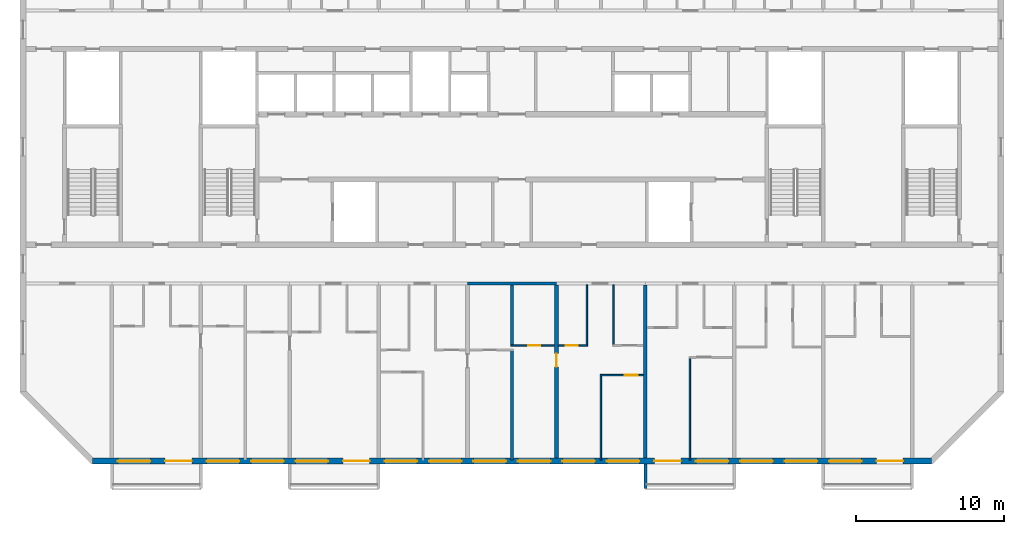
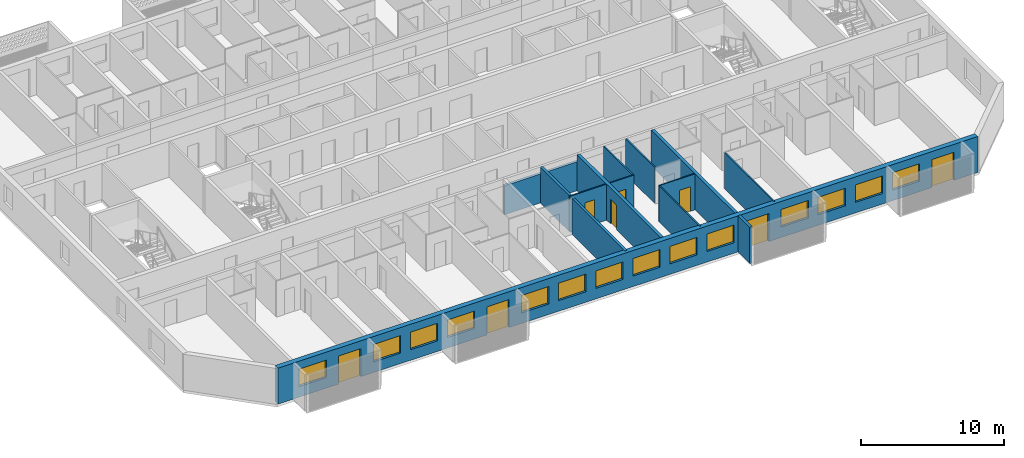
# One storey, part 4 of 26: 14 walls, 14 windows, 8 doors, 22 openings.
"""IFC4 building model written with IfcOpenShell, lengths in metres."""

from ifc_helpers import new_model, si_unit, direction, frame, frame_2d, origin, place, context, subcontext, project, spatial, polyline, rectangle, outline, extrude, source, transform, mapped, material, layer, layer_set, type_object, element, fill, save


model = new_model("IFC4")

# Units and contexts
model_context = context("Model", 3, precision=1e-05, world=origin(), true_north=direction((0.0, 1.0)))
body_context = subcontext(model_context, "Body", "Model", "MODEL_VIEW")
ifc_project = project(units=[si_unit("LENGTHUNIT", "METRE"), si_unit("AREAUNIT", "SQUARE_METRE"), si_unit("VOLUMEUNIT", "CUBIC_METRE"), si_unit("PLANEANGLEUNIT", "RADIAN"), si_unit("MASSUNIT", "GRAM", prefix="KILO")], contexts=[model_context])

# Site, building, storey
site_placement = place(None, origin())
site = spatial("IfcSite", under=ifc_project, at=site_placement, CompositionType="ELEMENT")
building_placement = place(site_placement, origin())
building = spatial("IfcBuilding", under=site, at=building_placement, Name="Poui Terraces", CompositionType="ELEMENT")
storey_placement = place(building_placement, frame((0.0, 0.0, 247.800048828125)))
storey = spatial("IfcBuildingStorey", under=building, at=storey_placement, Name="L69", CompositionType="ELEMENT", Elevation=247.800048828125)

# Wall
ifc_material_1 = material(Name="Concrete 50 MPa", Category="concrete")
ifc_layer_1 = layer(ifc_material_1, 0.199951171875)
ifc_layer_set_1 = layer_set([ifc_layer_1], Name="Concrete 50 MPa")
wall_type_1 = type_object("IfcWallType", Name="CORRIDOR WALL 200 50MPa", PredefinedType="SHEAR", material=ifc_layer_set_1)
wall_1_placement = place(storey_placement, frame((48.0, 12.0, 0.0), z_axis=(0.0, 0.0, 1.0), x_axis=(1.0, 0.0, 0.0)))
element("IfcWall", 1, at=wall_1_placement, inside=storey, type_object=wall_type_1, Name="CORRIDOR WALL LINE B BAY 6", PredefinedType="SHEAR", context=body_context, shape_type="SweptSolid", body=[
    extrude(rectangle(XDim=6.0, YDim=0.199951171875, at=frame_2d((3.0, 0.0))), origin(), (0.0, 0.0, 1.0), 2.47998046875),
])

# Wall, opening, door
ifc_layer_2 = layer(ifc_material_1, 0.25)
ifc_layer_set_2 = layer_set([ifc_layer_2], Name="Concrete 50 MPa")
wall_type_2 = type_object("IfcWallType", Name="CROSS WALL 250 50MPa", PredefinedType="SHEAR", material=ifc_layer_set_2)
wall_2_placement = place(storey_placement, frame((54.0, 0.199951171875, 0.0), z_axis=(0.0, 0.0, 1.0), x_axis=(0.0, 1.0, 0.0)))
wall_2 = element("IfcWall", 2, at=wall_2_placement, inside=storey, type_object=wall_type_2, Name="CROSS WALL LINE 10 SOUTH", PredefinedType="SHEAR", context=body_context, shape_type="SweptSolid", body=[
    extrude(rectangle(XDim=11.699951171875, YDim=0.25, at=frame_2d((5.85009765625, 0.0))), origin(), (0.0, 0.0, 1.0), 3.079833984375),
])
opening_1_placement = place(wall_2_placement, frame((6.14990234375, 0.0, 0.0)))
opening_1 = element("IfcOpeningElement", 3, at=opening_1_placement, cuts=wall_2, Name="Opening D90", PredefinedType="OPENING", context=body_context, shape_type="SweptSolid", body=[
    extrude(rectangle(XDim=0.89990234375, YDim=2.10009765625, at=frame_2d((0.449951171875, 1.050048828125))), frame((0.0, 0.135009765625, 0.0), z_axis=(0.0, -1.0, 0.0), x_axis=(1.0, 0.0, 0.0)), (0.0, 0.0, 1.0), 0.27001953125),
])
ifc_material_2 = material(Name="Solid core timber door", Category="wood")
door_type_1 = type_object("IfcDoorType", Name="INTERNAL DOOR 900 X 2100", OperationType="NOTDEFINED", PredefinedType="DOOR", material=ifc_material_2)
door_1_placement = place(opening_1_placement, origin())
door_1 = element("IfcDoor", 4, at=door_1_placement, inside=storey, type_object=door_type_1, Name="INTERNAL DOOR 079", OperationType="SINGLE_SWING_RIGHT", OverallHeight=2.10009765625, OverallWidth=0.89990234375, PredefinedType="DOOR", context=body_context, shape_type="SweptSolid", body=[
    extrude(rectangle(XDim=0.89990234375, YDim=2.10009765625, at=frame_2d((0.449951171875, 1.050048828125))), frame((0.0, 0.02490234375, 0.0), z_axis=(0.0, -1.0, 0.0), x_axis=(1.0, 0.0, 0.0)), (0.0, 0.0, 1.0), 0.050048828125),
])
fill(opening_1, door_1)

# Wall
wall_3_placement = place(storey_placement, frame((60.0, 0.199951171875, 0.0), z_axis=(0.0, 0.0, 1.0), x_axis=(0.0, 1.0, 0.0)))
element("IfcWall", 5, at=wall_3_placement, inside=storey, type_object=wall_type_2, Name="CROSS WALL LINE 11 SOUTH", PredefinedType="SHEAR", context=body_context, shape_type="SweptSolid", body=[
    extrude(rectangle(XDim=11.699951171875, YDim=0.25, at=frame_2d((5.85009765625, 0.0))), origin(), (0.0, 0.0, 1.0), 3.079833984375),
])

# Wall, openings, doors, windows
ifc_material_3 = material(Name="Precast concrete 40 MPa", Category="concrete")
ifc_layer_3 = layer(ifc_material_3, 0.39990234375)
ifc_layer_set_3 = layer_set([ifc_layer_3], Name="Precast concrete 40 MPa")
wall_type_3 = type_object("IfcWallType", Name="EXTERNAL WALL 400", PredefinedType="STANDARD", material=ifc_layer_set_3)
wall_4_placement = place(storey_placement, frame((22.682861328125, 0.0, 0.0), z_axis=(0.0, 0.0, 1.0), x_axis=(1.0, 0.0, 0.0)))
wall_4 = element("IfcWall", 6, at=wall_4_placement, inside=storey, type_object=wall_type_3, Name="EXTERNAL WALL S", PredefinedType="STANDARD", context=body_context, shape_type="SweptSolid", body=[
    extrude(rectangle(XDim=56.63427734375, YDim=0.39990234375, at=frame_2d((28.317138671875, 0.0))), origin(), (0.0, 0.0, 1.0), 3.079833984375),
])
opening_2_placement = place(wall_4_placement, frame((1.71728515625, 0.0, 0.89990234375)))
opening_2 = element("IfcOpeningElement", 7, at=opening_2_placement, cuts=wall_4, Name="Opening W1", PredefinedType="OPENING", context=body_context, shape_type="SweptSolid", body=[
    extrude(rectangle(XDim=2.199951171875, YDim=1.5, at=frame_2d((1.10009765625, 0.75))), frame((0.0, 0.2099609375, 0.0), z_axis=(0.0, -1.0, 0.0), x_axis=(1.0, 0.0, 0.0)), (0.0, 0.0, 1.0), 0.419921875),
])
opening_3_placement = place(wall_4_placement, frame((4.917236328125, 0.0, 0.0)))
opening_3 = element("IfcOpeningElement", 8, at=opening_3_placement, cuts=wall_4, Name="Opening BD1", PredefinedType="OPENING", context=body_context, shape_type="SweptSolid", body=[
    extrude(rectangle(XDim=1.800048828125, YDim=2.39990234375, at=frame_2d((0.89990234375, 1.199951171875))), frame((0.0, 0.2099609375, 0.0), z_axis=(0.0, -1.0, 0.0), x_axis=(1.0, 0.0, 0.0)), (0.0, 0.0, 1.0), 0.419921875),
])
opening_4_placement = place(wall_4_placement, frame((7.71728515625, 0.0, 0.89990234375)))
opening_4 = element("IfcOpeningElement", 9, at=opening_4_placement, cuts=wall_4, Name="Opening W1", PredefinedType="OPENING", context=body_context, shape_type="SweptSolid", body=[
    extrude(rectangle(XDim=2.199951171875, YDim=1.5, at=frame_2d((1.10009765625, 0.75))), frame((0.0, 0.2099609375, 0.0), z_axis=(0.0, -1.0, 0.0), x_axis=(1.0, 0.0, 0.0)), (0.0, 0.0, 1.0), 0.419921875),
])
opening_5_placement = place(wall_4_placement, frame((10.71728515625, 0.0, 0.89990234375)))
opening_5 = element("IfcOpeningElement", 10, at=opening_5_placement, cuts=wall_4, Name="Opening W1", PredefinedType="OPENING", context=body_context, shape_type="SweptSolid", body=[
    extrude(rectangle(XDim=2.199951171875, YDim=1.5, at=frame_2d((1.10009765625, 0.75))), frame((0.0, 0.2099609375, 0.0), z_axis=(0.0, -1.0, 0.0), x_axis=(1.0, 0.0, 0.0)), (0.0, 0.0, 1.0), 0.419921875),
])
opening_6_placement = place(wall_4_placement, frame((13.71728515625, 0.0, 0.89990234375)))
opening_6 = element("IfcOpeningElement", 11, at=opening_6_placement, cuts=wall_4, Name="Opening W1", PredefinedType="OPENING", context=body_context, shape_type="SweptSolid", body=[
    extrude(rectangle(XDim=2.199951171875, YDim=1.5, at=frame_2d((1.10009765625, 0.75))), frame((0.0, 0.2099609375, 0.0), z_axis=(0.0, -1.0, 0.0), x_axis=(1.0, 0.0, 0.0)), (0.0, 0.0, 1.0), 0.419921875),
])
opening_7_placement = place(wall_4_placement, frame((16.917236328125, 0.0, 0.0)))
opening_7 = element("IfcOpeningElement", 12, at=opening_7_placement, cuts=wall_4, Name="Opening BD1", PredefinedType="OPENING", context=body_context, shape_type="SweptSolid", body=[
    extrude(rectangle(XDim=1.800048828125, YDim=2.39990234375, at=frame_2d((0.89990234375, 1.199951171875))), frame((0.0, 0.2099609375, 0.0), z_axis=(0.0, -1.0, 0.0), x_axis=(1.0, 0.0, 0.0)), (0.0, 0.0, 1.0), 0.419921875),
])
opening_8_placement = place(wall_4_placement, frame((19.71728515625, 0.0, 0.89990234375)))
opening_8 = element("IfcOpeningElement", 13, at=opening_8_placement, cuts=wall_4, Name="Opening W1", PredefinedType="OPENING", context=body_context, shape_type="SweptSolid", body=[
    extrude(rectangle(XDim=2.199951171875, YDim=1.5, at=frame_2d((1.10009765625, 0.75))), frame((0.0, 0.2099609375, 0.0), z_axis=(0.0, -1.0, 0.0), x_axis=(1.0, 0.0, 0.0)), (0.0, 0.0, 1.0), 0.419921875),
])
opening_9_placement = place(wall_4_placement, frame((22.71728515625, 0.0, 0.89990234375)))
opening_9 = element("IfcOpeningElement", 14, at=opening_9_placement, cuts=wall_4, Name="Opening W1", PredefinedType="OPENING", context=body_context, shape_type="SweptSolid", body=[
    extrude(rectangle(XDim=2.199951171875, YDim=1.5, at=frame_2d((1.10009765625, 0.75))), frame((0.0, 0.2099609375, 0.0), z_axis=(0.0, -1.0, 0.0), x_axis=(1.0, 0.0, 0.0)), (0.0, 0.0, 1.0), 0.419921875),
])
opening_10_placement = place(wall_4_placement, frame((25.71728515625, 0.0, 0.89990234375)))
opening_10 = element("IfcOpeningElement", 15, at=opening_10_placement, cuts=wall_4, Name="Opening W1", PredefinedType="OPENING", context=body_context, shape_type="SweptSolid", body=[
    extrude(rectangle(XDim=2.199951171875, YDim=1.5, at=frame_2d((1.10009765625, 0.75))), frame((0.0, 0.2099609375, 0.0), z_axis=(0.0, -1.0, 0.0), x_axis=(1.0, 0.0, 0.0)), (0.0, 0.0, 1.0), 0.419921875),
])
opening_11_placement = place(wall_4_placement, frame((28.71728515625, 0.0, 0.89990234375)))
opening_11 = element("IfcOpeningElement", 16, at=opening_11_placement, cuts=wall_4, Name="Opening W1", PredefinedType="OPENING", context=body_context, shape_type="SweptSolid", body=[
    extrude(rectangle(XDim=2.199951171875, YDim=1.5, at=frame_2d((1.10009765625, 0.75))), frame((0.0, 0.2099609375, 0.0), z_axis=(0.0, -1.0, 0.0), x_axis=(1.0, 0.0, 0.0)), (0.0, 0.0, 1.0), 0.419921875),
])
opening_12_placement = place(wall_4_placement, frame((31.71728515625, 0.0, 0.89990234375)))
opening_12 = element("IfcOpeningElement", 17, at=opening_12_placement, cuts=wall_4, Name="Opening W1", PredefinedType="OPENING", context=body_context, shape_type="SweptSolid", body=[
    extrude(rectangle(XDim=2.199951171875, YDim=1.5, at=frame_2d((1.10009765625, 0.75))), frame((0.0, 0.2099609375, 0.0), z_axis=(0.0, -1.0, 0.0), x_axis=(1.0, 0.0, 0.0)), (0.0, 0.0, 1.0), 0.419921875),
])
opening_13_placement = place(wall_4_placement, frame((34.71728515625, 0.0, 0.89990234375)))
opening_13 = element("IfcOpeningElement", 18, at=opening_13_placement, cuts=wall_4, Name="Opening W1", PredefinedType="OPENING", context=body_context, shape_type="SweptSolid", body=[
    extrude(rectangle(XDim=2.199951171875, YDim=1.5, at=frame_2d((1.10009765625, 0.75))), frame((0.0, 0.2099609375, 0.0), z_axis=(0.0, -1.0, 0.0), x_axis=(1.0, 0.0, 0.0)), (0.0, 0.0, 1.0), 0.419921875),
])
opening_14_placement = place(wall_4_placement, frame((37.917236328125, 0.0, 0.0)))
opening_14 = element("IfcOpeningElement", 19, at=opening_14_placement, cuts=wall_4, Name="Opening BD1", PredefinedType="OPENING", context=body_context, shape_type="SweptSolid", body=[
    extrude(rectangle(XDim=1.800048828125, YDim=2.39990234375, at=frame_2d((0.89990234375, 1.199951171875))), frame((0.0, 0.2099609375, 0.0), z_axis=(0.0, -1.0, 0.0), x_axis=(1.0, 0.0, 0.0)), (0.0, 0.0, 1.0), 0.419921875),
])
opening_15_placement = place(wall_4_placement, frame((40.71728515625, 0.0, 0.89990234375)))
opening_15 = element("IfcOpeningElement", 20, at=opening_15_placement, cuts=wall_4, Name="Opening W1", PredefinedType="OPENING", context=body_context, shape_type="SweptSolid", body=[
    extrude(rectangle(XDim=2.199951171875, YDim=1.5, at=frame_2d((1.10009765625, 0.75))), frame((0.0, 0.2099609375, 0.0), z_axis=(0.0, -1.0, 0.0), x_axis=(1.0, 0.0, 0.0)), (0.0, 0.0, 1.0), 0.419921875),
])
opening_16_placement = place(wall_4_placement, frame((43.71728515625, 0.0, 0.89990234375)))
opening_16 = element("IfcOpeningElement", 21, at=opening_16_placement, cuts=wall_4, Name="Opening W1", PredefinedType="OPENING", context=body_context, shape_type="SweptSolid", body=[
    extrude(rectangle(XDim=2.199951171875, YDim=1.5, at=frame_2d((1.10009765625, 0.75))), frame((0.0, 0.2099609375, 0.0), z_axis=(0.0, -1.0, 0.0), x_axis=(1.0, 0.0, 0.0)), (0.0, 0.0, 1.0), 0.419921875),
])
opening_17_placement = place(wall_4_placement, frame((46.71728515625, 0.0, 0.89990234375)))
opening_17 = element("IfcOpeningElement", 22, at=opening_17_placement, cuts=wall_4, Name="Opening W1", PredefinedType="OPENING", context=body_context, shape_type="SweptSolid", body=[
    extrude(rectangle(XDim=2.199951171875, YDim=1.5, at=frame_2d((1.10009765625, 0.75))), frame((0.0, 0.2099609375, 0.0), z_axis=(0.0, -1.0, 0.0), x_axis=(1.0, 0.0, 0.0)), (0.0, 0.0, 1.0), 0.419921875),
])
opening_18_placement = place(wall_4_placement, frame((49.71728515625, 0.0, 0.89990234375)))
opening_18 = element("IfcOpeningElement", 23, at=opening_18_placement, cuts=wall_4, Name="Opening W1", PredefinedType="OPENING", context=body_context, shape_type="SweptSolid", body=[
    extrude(rectangle(XDim=2.199951171875, YDim=1.5, at=frame_2d((1.10009765625, 0.75))), frame((0.0, 0.2099609375, 0.0), z_axis=(0.0, -1.0, 0.0), x_axis=(1.0, 0.0, 0.0)), (0.0, 0.0, 1.0), 0.419921875),
])
opening_19_placement = place(wall_4_placement, frame((52.917236328125, 0.0, 0.0)))
opening_19 = element("IfcOpeningElement", 24, at=opening_19_placement, cuts=wall_4, Name="Opening BD1", PredefinedType="OPENING", context=body_context, shape_type="SweptSolid", body=[
    extrude(rectangle(XDim=1.800048828125, YDim=2.39990234375, at=frame_2d((0.89990234375, 1.199951171875))), frame((0.0, 0.2099609375, 0.0), z_axis=(0.0, -1.0, 0.0), x_axis=(1.0, 0.0, 0.0)), (0.0, 0.0, 1.0), 0.419921875),
])
ifc_material_4 = material(Name="Clear glass in aluminium frame", Category="aluminium")
door_type_2 = type_object("IfcDoorType", Name="BALCONY DOOR 1800X2400", OperationType="DOUBLE_DOOR_SLIDING", PredefinedType="DOOR", material=ifc_material_4)
door_2_placement = place(opening_3_placement, origin())
door_2 = element("IfcDoor", 25, at=door_2_placement, inside=storey, type_object=door_type_2, Name="BD1 BALCONY DOOR", OperationType="DOUBLE_DOOR_SLIDING", OverallHeight=2.39990234375, OverallWidth=1.800048828125, PredefinedType="DOOR", context=body_context, shape_type="SweptSolid", body=[
    extrude(rectangle(XDim=1.800048828125, YDim=2.39990234375, at=frame_2d((0.89990234375, 1.199951171875))), frame((0.0, 0.02490234375, 0.0), z_axis=(0.0, -1.0, 0.0), x_axis=(1.0, 0.0, 0.0)), (0.0, 0.0, 1.0), 0.050048828125),
])
fill(opening_3, door_2)
door_3_placement = place(opening_7_placement, origin())
door_3 = element("IfcDoor", 26, at=door_3_placement, inside=storey, type_object=door_type_2, Name="BD1 BALCONY DOOR", OperationType="DOUBLE_DOOR_SLIDING", OverallHeight=2.39990234375, OverallWidth=1.800048828125, PredefinedType="DOOR", context=body_context, shape_type="SweptSolid", body=[
    extrude(rectangle(XDim=1.800048828125, YDim=2.39990234375, at=frame_2d((0.89990234375, 1.199951171875))), frame((0.0, 0.02490234375, 0.0), z_axis=(0.0, -1.0, 0.0), x_axis=(1.0, 0.0, 0.0)), (0.0, 0.0, 1.0), 0.050048828125),
])
fill(opening_7, door_3)
door_4_placement = place(opening_14_placement, origin())
door_4 = element("IfcDoor", 27, at=door_4_placement, inside=storey, type_object=door_type_2, Name="BD1 BALCONY DOOR", OperationType="DOUBLE_DOOR_SLIDING", OverallHeight=2.39990234375, OverallWidth=1.800048828125, PredefinedType="DOOR", context=body_context, shape_type="SweptSolid", body=[
    extrude(rectangle(XDim=1.800048828125, YDim=2.39990234375, at=frame_2d((0.89990234375, 1.199951171875))), frame((0.0, 0.02490234375, 0.0), z_axis=(0.0, -1.0, 0.0), x_axis=(1.0, 0.0, 0.0)), (0.0, 0.0, 1.0), 0.050048828125),
])
fill(opening_14, door_4)
door_5_placement = place(opening_19_placement, origin())
door_5 = element("IfcDoor", 28, at=door_5_placement, inside=storey, type_object=door_type_2, Name="BD1 BALCONY DOOR", OperationType="DOUBLE_DOOR_SLIDING", OverallHeight=2.39990234375, OverallWidth=1.800048828125, PredefinedType="DOOR", context=body_context, shape_type="SweptSolid", body=[
    extrude(rectangle(XDim=1.800048828125, YDim=2.39990234375, at=frame_2d((0.89990234375, 1.199951171875))), frame((0.0, 0.02490234375, 0.0), z_axis=(0.0, -1.0, 0.0), x_axis=(1.0, 0.0, 0.0)), (0.0, 0.0, 1.0), 0.050048828125),
])
fill(opening_19, door_5)
window_type = type_object("IfcWindowType", Name="WINDOW 2200X1500", PartitioningType="DOUBLE_PANEL_HORIZONTAL", PredefinedType="WINDOW", material=ifc_material_4)
window_1_placement = place(opening_2_placement, origin())
window_1 = element("IfcWindow", 29, at=window_1_placement, inside=storey, type_object=window_type, Name="W1 WINDOW", OverallHeight=1.5, OverallWidth=2.199951171875, PartitioningType="DOUBLE_PANEL_HORIZONTAL", PredefinedType="WINDOW", context=body_context, shape_type="SweptSolid", body=[
    extrude(rectangle(XDim=2.199951171875, YDim=1.5, at=frame_2d((1.10009765625, 0.75))), frame((0.0, 0.030029296875, 0.0), z_axis=(0.0, -1.0, 0.0), x_axis=(1.0, 0.0, 0.0)), (0.0, 0.0, 1.0), 0.06005859375),
])
fill(opening_2, window_1)
window_2_placement = place(opening_4_placement, origin())
window_2 = element("IfcWindow", 30, at=window_2_placement, inside=storey, type_object=window_type, Name="W1 WINDOW", OverallHeight=1.5, OverallWidth=2.199951171875, PartitioningType="DOUBLE_PANEL_HORIZONTAL", PredefinedType="WINDOW", context=body_context, shape_type="SweptSolid", body=[
    extrude(rectangle(XDim=2.199951171875, YDim=1.5, at=frame_2d((1.10009765625, 0.75))), frame((0.0, 0.030029296875, 0.0), z_axis=(0.0, -1.0, 0.0), x_axis=(1.0, 0.0, 0.0)), (0.0, 0.0, 1.0), 0.06005859375),
])
fill(opening_4, window_2)
window_3_placement = place(opening_5_placement, origin())
window_3 = element("IfcWindow", 31, at=window_3_placement, inside=storey, type_object=window_type, Name="W1 WINDOW", OverallHeight=1.5, OverallWidth=2.199951171875, PartitioningType="DOUBLE_PANEL_HORIZONTAL", PredefinedType="WINDOW", context=body_context, shape_type="SweptSolid", body=[
    extrude(rectangle(XDim=2.199951171875, YDim=1.5, at=frame_2d((1.10009765625, 0.75))), frame((0.0, 0.030029296875, 0.0), z_axis=(0.0, -1.0, 0.0), x_axis=(1.0, 0.0, 0.0)), (0.0, 0.0, 1.0), 0.06005859375),
])
fill(opening_5, window_3)
window_4_placement = place(opening_6_placement, origin())
window_4 = element("IfcWindow", 32, at=window_4_placement, inside=storey, type_object=window_type, Name="W1 WINDOW", OverallHeight=1.5, OverallWidth=2.199951171875, PartitioningType="DOUBLE_PANEL_HORIZONTAL", PredefinedType="WINDOW", context=body_context, shape_type="SweptSolid", body=[
    extrude(rectangle(XDim=2.199951171875, YDim=1.5, at=frame_2d((1.10009765625, 0.75))), frame((0.0, 0.030029296875, 0.0), z_axis=(0.0, -1.0, 0.0), x_axis=(1.0, 0.0, 0.0)), (0.0, 0.0, 1.0), 0.06005859375),
])
fill(opening_6, window_4)
window_5_placement = place(opening_8_placement, origin())
window_5 = element("IfcWindow", 33, at=window_5_placement, inside=storey, type_object=window_type, Name="W1 WINDOW", OverallHeight=1.5, OverallWidth=2.199951171875, PartitioningType="DOUBLE_PANEL_HORIZONTAL", PredefinedType="WINDOW", context=body_context, shape_type="SweptSolid", body=[
    extrude(rectangle(XDim=2.199951171875, YDim=1.5, at=frame_2d((1.10009765625, 0.75))), frame((0.0, 0.030029296875, 0.0), z_axis=(0.0, -1.0, 0.0), x_axis=(1.0, 0.0, 0.0)), (0.0, 0.0, 1.0), 0.06005859375),
])
fill(opening_8, window_5)
window_6_placement = place(opening_9_placement, origin())
window_6 = element("IfcWindow", 34, at=window_6_placement, inside=storey, type_object=window_type, Name="W1 WINDOW", OverallHeight=1.5, OverallWidth=2.199951171875, PartitioningType="DOUBLE_PANEL_HORIZONTAL", PredefinedType="WINDOW", context=body_context, shape_type="SweptSolid", body=[
    extrude(rectangle(XDim=2.199951171875, YDim=1.5, at=frame_2d((1.10009765625, 0.75))), frame((0.0, 0.030029296875, 0.0), z_axis=(0.0, -1.0, 0.0), x_axis=(1.0, 0.0, 0.0)), (0.0, 0.0, 1.0), 0.06005859375),
])
fill(opening_9, window_6)
window_7_placement = place(opening_10_placement, origin())
window_7 = element("IfcWindow", 35, at=window_7_placement, inside=storey, type_object=window_type, Name="W1 WINDOW", OverallHeight=1.5, OverallWidth=2.199951171875, PartitioningType="DOUBLE_PANEL_HORIZONTAL", PredefinedType="WINDOW", context=body_context, shape_type="SweptSolid", body=[
    extrude(rectangle(XDim=2.199951171875, YDim=1.5, at=frame_2d((1.10009765625, 0.75))), frame((0.0, 0.030029296875, 0.0), z_axis=(0.0, -1.0, 0.0), x_axis=(1.0, 0.0, 0.0)), (0.0, 0.0, 1.0), 0.06005859375),
])
fill(opening_10, window_7)
window_8_placement = place(opening_11_placement, origin())
window_8 = element("IfcWindow", 36, at=window_8_placement, inside=storey, type_object=window_type, Name="W1 WINDOW", OverallHeight=1.5, OverallWidth=2.199951171875, PartitioningType="DOUBLE_PANEL_HORIZONTAL", PredefinedType="WINDOW", context=body_context, shape_type="SweptSolid", body=[
    extrude(rectangle(XDim=2.199951171875, YDim=1.5, at=frame_2d((1.10009765625, 0.75))), frame((0.0, 0.030029296875, 0.0), z_axis=(0.0, -1.0, 0.0), x_axis=(1.0, 0.0, 0.0)), (0.0, 0.0, 1.0), 0.06005859375),
])
fill(opening_11, window_8)
window_9_placement = place(opening_12_placement, origin())
window_9 = element("IfcWindow", 37, at=window_9_placement, inside=storey, type_object=window_type, Name="W1 WINDOW", OverallHeight=1.5, OverallWidth=2.199951171875, PartitioningType="DOUBLE_PANEL_HORIZONTAL", PredefinedType="WINDOW", context=body_context, shape_type="SweptSolid", body=[
    extrude(rectangle(XDim=2.199951171875, YDim=1.5, at=frame_2d((1.10009765625, 0.75))), frame((0.0, 0.030029296875, 0.0), z_axis=(0.0, -1.0, 0.0), x_axis=(1.0, 0.0, 0.0)), (0.0, 0.0, 1.0), 0.06005859375),
])
fill(opening_12, window_9)
window_10_placement = place(opening_13_placement, origin())
window_10 = element("IfcWindow", 38, at=window_10_placement, inside=storey, type_object=window_type, Name="W1 WINDOW", OverallHeight=1.5, OverallWidth=2.199951171875, PartitioningType="DOUBLE_PANEL_HORIZONTAL", PredefinedType="WINDOW", context=body_context, shape_type="SweptSolid", body=[
    extrude(rectangle(XDim=2.199951171875, YDim=1.5, at=frame_2d((1.10009765625, 0.75))), frame((0.0, 0.030029296875, 0.0), z_axis=(0.0, -1.0, 0.0), x_axis=(1.0, 0.0, 0.0)), (0.0, 0.0, 1.0), 0.06005859375),
])
fill(opening_13, window_10)
window_11_placement = place(opening_15_placement, origin())
window_11 = element("IfcWindow", 39, at=window_11_placement, inside=storey, type_object=window_type, Name="W1 WINDOW", OverallHeight=1.5, OverallWidth=2.199951171875, PartitioningType="DOUBLE_PANEL_HORIZONTAL", PredefinedType="WINDOW", context=body_context, shape_type="SweptSolid", body=[
    extrude(rectangle(XDim=2.199951171875, YDim=1.5, at=frame_2d((1.10009765625, 0.75))), frame((0.0, 0.030029296875, 0.0), z_axis=(0.0, -1.0, 0.0), x_axis=(1.0, 0.0, 0.0)), (0.0, 0.0, 1.0), 0.06005859375),
])
fill(opening_15, window_11)
window_12_placement = place(opening_16_placement, origin())
window_12 = element("IfcWindow", 40, at=window_12_placement, inside=storey, type_object=window_type, Name="W1 WINDOW", OverallHeight=1.5, OverallWidth=2.199951171875, PartitioningType="DOUBLE_PANEL_HORIZONTAL", PredefinedType="WINDOW", context=body_context, shape_type="SweptSolid", body=[
    extrude(rectangle(XDim=2.199951171875, YDim=1.5, at=frame_2d((1.10009765625, 0.75))), frame((0.0, 0.030029296875, 0.0), z_axis=(0.0, -1.0, 0.0), x_axis=(1.0, 0.0, 0.0)), (0.0, 0.0, 1.0), 0.06005859375),
])
fill(opening_16, window_12)
window_13_placement = place(opening_17_placement, origin())
window_13 = element("IfcWindow", 41, at=window_13_placement, inside=storey, type_object=window_type, Name="W1 WINDOW", OverallHeight=1.5, OverallWidth=2.199951171875, PartitioningType="DOUBLE_PANEL_HORIZONTAL", PredefinedType="WINDOW", context=body_context, shape_type="SweptSolid", body=[
    extrude(rectangle(XDim=2.199951171875, YDim=1.5, at=frame_2d((1.10009765625, 0.75))), frame((0.0, 0.030029296875, 0.0), z_axis=(0.0, -1.0, 0.0), x_axis=(1.0, 0.0, 0.0)), (0.0, 0.0, 1.0), 0.06005859375),
])
fill(opening_17, window_13)
window_14_placement = place(opening_18_placement, origin())
window_14 = element("IfcWindow", 42, at=window_14_placement, inside=storey, type_object=window_type, Name="W1 WINDOW", OverallHeight=1.5, OverallWidth=2.199951171875, PartitioningType="DOUBLE_PANEL_HORIZONTAL", PredefinedType="WINDOW", context=body_context, shape_type="SweptSolid", body=[
    extrude(rectangle(XDim=2.199951171875, YDim=1.5, at=frame_2d((1.10009765625, 0.75))), frame((0.0, 0.030029296875, 0.0), z_axis=(0.0, -1.0, 0.0), x_axis=(1.0, 0.0, 0.0)), (0.0, 0.0, 1.0), 0.06005859375),
])
fill(opening_18, window_14)

# Wall, opening, door
ifc_material_5 = material(Name="Plasterboard partition")
ifc_layer_4 = layer(ifc_material_5, 0.10009765625)
ifc_layer_set_4 = layer_set([ifc_layer_4], Name="Plasterboard partition")
wall_type_4 = type_object("IfcWallType", Name="FLAT PARTITION 100", PredefinedType="PARTITIONING", material=ifc_layer_set_4)
wall_5_placement = place(storey_placement, frame((56.949951171875, 5.800048828125, 0.0), z_axis=(0.0, 0.0, 1.0), x_axis=(1.0, 0.0, 0.0)))
wall_5 = element("IfcWall", 43, at=wall_5_placement, inside=storey, type_object=wall_type_4, Name="FLAT PARTITION 100", PredefinedType="PARTITIONING", context=body_context, shape_type="SweptSolid", body=[
    extrude(rectangle(XDim=2.9150390625, YDim=0.10009765625, at=frame_2d((1.45751953125, 0.0))), origin(), (0.0, 0.0, 1.0), 3.079833984375),
])
opening_20_placement = place(wall_5_placement, frame((1.64990234375, 0.0, 0.0)))
opening_20 = element("IfcOpeningElement", 44, at=opening_20_placement, cuts=wall_5, Name="Opening D90", PredefinedType="OPENING", context=body_context, shape_type="SweptSolid", body=[
    extrude(rectangle(XDim=0.89990234375, YDim=2.10009765625, at=frame_2d((0.449951171875, 1.050048828125))), frame((0.0, 0.06005859375, 0.0), z_axis=(0.0, -1.0, 0.0), x_axis=(1.0, 0.0, 0.0)), (0.0, 0.0, 1.0), 0.1201171875),
])
door_6_placement = place(opening_20_placement, origin())
door_6 = element("IfcDoor", 45, at=door_6_placement, inside=storey, type_object=door_type_1, Name="INTERNAL DOOR 083", OperationType="SINGLE_SWING_LEFT", OverallHeight=2.10009765625, OverallWidth=0.89990234375, PredefinedType="DOOR", context=body_context, shape_type="SweptSolid", body=[
    extrude(rectangle(XDim=0.89990234375, YDim=2.10009765625, at=frame_2d((0.449951171875, 1.050048828125))), frame((0.0, 0.02490234375, 0.0), z_axis=(0.0, -1.0, 0.0), x_axis=(1.0, 0.0, 0.0)), (0.0, 0.0, 1.0), 0.050048828125),
])
fill(opening_20, door_6)

wall_6_placement = place(storey_placement, frame((50.89990234375, 7.800048828125, 0.0), z_axis=(0.0, 0.0, 1.0), x_axis=(1.0, 0.0, 0.0)))
wall_6 = element("IfcWall", 46, at=wall_6_placement, inside=storey, type_object=wall_type_4, Name="FLAT PARTITION 100", PredefinedType="PARTITIONING", context=body_context, shape_type="SweptSolid", body=[
    extrude(rectangle(XDim=2.965087890625, YDim=0.10009765625, at=frame_2d((1.482421875, 0.0))), origin(), (0.0, 0.0, 1.0), 3.079833984375),
])
opening_21_placement = place(wall_6_placement, frame((1.199951171875, 0.0, 0.0)))
opening_21 = element("IfcOpeningElement", 47, at=opening_21_placement, cuts=wall_6, Name="Opening D80", PredefinedType="OPENING", context=body_context, shape_type="SweptSolid", body=[
    extrude(rectangle(XDim=0.800048828125, YDim=2.10009765625, at=frame_2d((0.39990234375, 1.050048828125))), frame((0.0, 0.06005859375, 0.0), z_axis=(0.0, -1.0, 0.0), x_axis=(1.0, 0.0, 0.0)), (0.0, 0.0, 1.0), 0.1201171875),
])
door_type_3 = type_object("IfcDoorType", Name="BATHROOM, LAUNDRY AND STORE DOOR 800 X 2100", OperationType="NOTDEFINED", PredefinedType="DOOR", material=ifc_material_2)
door_7_placement = place(opening_21_placement, origin())
door_7 = element("IfcDoor", 48, at=door_7_placement, inside=storey, type_object=door_type_3, Name="BATHROOM, LAUNDRY AND STORE DOOR 078", OperationType="SINGLE_SWING_LEFT", OverallHeight=2.10009765625, OverallWidth=0.800048828125, PredefinedType="DOOR", context=body_context, shape_type="SweptSolid", body=[
    extrude(rectangle(XDim=0.800048828125, YDim=2.10009765625, at=frame_2d((0.39990234375, 1.050048828125))), frame((0.0, 0.02490234375, 0.0), z_axis=(0.0, -1.0, 0.0), x_axis=(1.0, 0.0, 0.0)), (0.0, 0.0, 1.0), 0.050048828125),
])
fill(opening_21, door_7)

wall_7_placement = place(storey_placement, frame((54.135009765625, 7.800048828125, 0.0), z_axis=(0.0, 0.0, 1.0), x_axis=(1.0, 0.0, 0.0)))
wall_7 = element("IfcWall", 49, at=wall_7_placement, inside=storey, type_object=wall_type_4, Name="FLAT PARTITION 100", PredefinedType="PARTITIONING", context=body_context, shape_type="SweptSolid", body=[
    extrude(rectangle(XDim=1.965087890625, YDim=0.10009765625, at=frame_2d((0.982421875, 0.0))), origin(), (0.0, 0.0, 1.0), 3.079833984375),
])
opening_22_placement = place(wall_7_placement, frame((0.489990234375, 0.0, 0.0)))
opening_22 = element("IfcOpeningElement", 50, at=opening_22_placement, cuts=wall_7, Name="Opening D80", PredefinedType="OPENING", context=body_context, shape_type="SweptSolid", body=[
    extrude(rectangle(XDim=0.800048828125, YDim=2.10009765625, at=frame_2d((0.39990234375, 1.050048828125))), frame((0.0, 0.06005859375, 0.0), z_axis=(0.0, -1.0, 0.0), x_axis=(1.0, 0.0, 0.0)), (0.0, 0.0, 1.0), 0.1201171875),
])
door_8_placement = place(opening_22_placement, origin())
door_8 = element("IfcDoor", 51, at=door_8_placement, inside=storey, type_object=door_type_3, Name="BATHROOM, LAUNDRY AND STORE DOOR 080", OperationType="SINGLE_SWING_LEFT", OverallHeight=2.10009765625, OverallWidth=0.800048828125, PredefinedType="DOOR", context=body_context, shape_type="SweptSolid", body=[
    extrude(rectangle(XDim=0.800048828125, YDim=2.10009765625, at=frame_2d((0.39990234375, 1.050048828125))), frame((0.0, 0.02490234375, 0.0), z_axis=(0.0, -1.0, 0.0), x_axis=(1.0, 0.0, 0.0)), (0.0, 0.0, 1.0), 0.050048828125),
])
fill(opening_22, door_8)

# Walls
wall_8_placement = place(storey_placement, frame((56.050048828125, 7.85009765625, 0.0), z_axis=(0.0, 0.0, 1.0), x_axis=(0.0, 1.0, 0.0)))
element("IfcWall", 52, at=wall_8_placement, inside=storey, type_object=wall_type_4, Name="FLAT PARTITION 100", PredefinedType="PARTITIONING", context=body_context, shape_type="SweptSolid", body=[
    extrude(rectangle(XDim=4.039794921875, YDim=0.10009765625, at=frame_2d((2.02001953125, 0.0))), origin(), (0.0, 0.0, 1.0), 3.079833984375),
])
wall_9_placement = place(storey_placement, frame((57.0, 0.06005859375, 0.0), z_axis=(0.0, 0.0, 1.0), x_axis=(0.0, 1.0, 0.0)))
element("IfcWall", 53, at=wall_9_placement, inside=storey, type_object=wall_type_4, Name="FLAT PARTITION 100", PredefinedType="PARTITIONING", context=body_context, shape_type="SweptSolid", body=[
    extrude(rectangle(XDim=5.68994140625, YDim=0.10009765625, at=frame_2d((2.844970703125, 0.0))), origin(), (0.0, 0.0, 1.0), 3.079833984375),
])
wall_10_placement = place(storey_placement, frame((57.85009765625, 7.85009765625, 0.0), z_axis=(0.0, 0.0, 1.0), x_axis=(0.0, 1.0, 0.0)))
element("IfcWall", 54, at=wall_10_placement, inside=storey, type_object=wall_type_4, Name="FLAT PARTITION 100", PredefinedType="PARTITIONING", context=body_context, shape_type="SweptSolid", body=[
    extrude(rectangle(XDim=4.039794921875, YDim=0.10009765625, at=frame_2d((2.02001953125, 0.0))), origin(), (0.0, 0.0, 1.0), 3.079833984375),
])
wall_11_placement = place(storey_placement, frame((63.0, 0.06005859375, 0.0), z_axis=(0.0, 0.0, 1.0), x_axis=(0.0, 1.0, 0.0)))
element("IfcWall", 55, at=wall_11_placement, inside=storey, type_object=wall_type_4, Name="FLAT PARTITION 100", PredefinedType="PARTITIONING", context=body_context, shape_type="SweptSolid", body=[
    extrude(rectangle(XDim=6.889892578125, YDim=0.10009765625, at=frame_2d((3.44482421875, 0.0))), origin(), (0.0, 0.0, 1.0), 3.079833984375),
])
ifc_material_6 = material(Name="Fire-rated masonry wall", Category="masonry")
ifc_layer_5 = layer(ifc_material_6, 0.199951171875)
ifc_layer_set_5 = layer_set([ifc_layer_5], Name="Fire-rated masonry wall")
wall_type_5 = type_object("IfcWallType", Name="FLAT PARTY WALL 200", PredefinedType="PARTITIONING", material=ifc_layer_set_5)
wall_12_placement = place(storey_placement, frame((51.0, 0.06005859375, 0.0), z_axis=(0.0, 0.0, 1.0), x_axis=(0.0, 1.0, 0.0)))
element("IfcWall", 56, at=wall_12_placement, inside=storey, type_object=wall_type_5, Name="FLAT PARTY WALL 200", PredefinedType="PARTITIONING", context=body_context, shape_type="SweptSolid", body=[
    extrude(rectangle(XDim=7.389892578125, YDim=0.199951171875, at=frame_2d((3.69482421875, 0.0))), origin(), (0.0, 0.0, 1.0), 3.079833984375),
])
wall_13_placement = place(storey_placement, frame((51.0, 7.85009765625, 0.0), z_axis=(0.0, 0.0, 1.0), x_axis=(0.0, 1.0, 0.0)))
element("IfcWall", 57, at=wall_13_placement, inside=storey, type_object=wall_type_5, Name="FLAT PARTY WALL 200", PredefinedType="PARTITIONING", context=body_context, shape_type="SweptSolid", body=[
    extrude(rectangle(XDim=4.039794921875, YDim=0.199951171875, at=frame_2d((2.02001953125, 0.0))), origin(), (0.0, 0.0, 1.0), 3.079833984375),
])
ifc_layer_6 = layer(ifc_material_3, 0.199951171875)
ifc_layer_set_6 = layer_set([ifc_layer_6], Name="Precast concrete 40 MPa")
wall_type_6 = type_object("IfcWallType", Name="REAR FIN 200", PredefinedType="STANDARD", material=ifc_layer_set_6)
shared_shape = source(origin(), body_context, "Body", "SweptSolid", [
    extrude(outline(polyline([(0.0, 0.0), (0.2001953125, 0.0), (0.2001953125, 1.650146484375), (0.0, 1.650146484375), (0.0, 0.0)])), origin(), (0.0, 0.0, 1.0), 3.099853515625),
])
wall_14_placement = place(storey_placement, frame((59.89990234375, -1.85009765625, 0.0)))
element("IfcWall", 58, at=wall_14_placement, inside=storey, type_object=wall_type_6, Name="REAR FIN", PredefinedType="STANDARD", context=body_context, shape_type="MappedRepresentation", body=[
    mapped(shared_shape, transform((0.0, 0.0, 0.0))),
])

save(model, "model.ifc")
